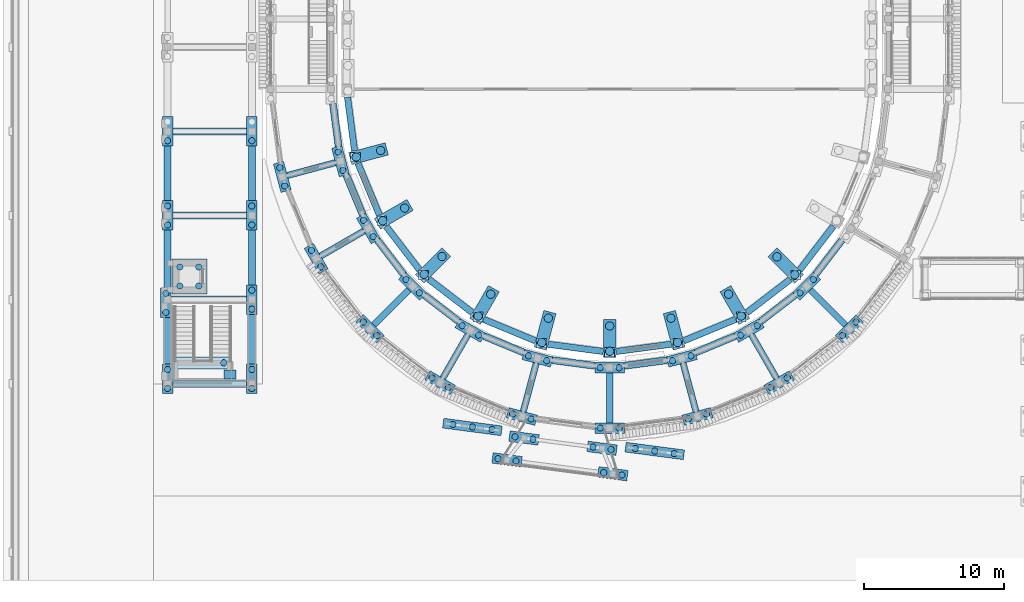
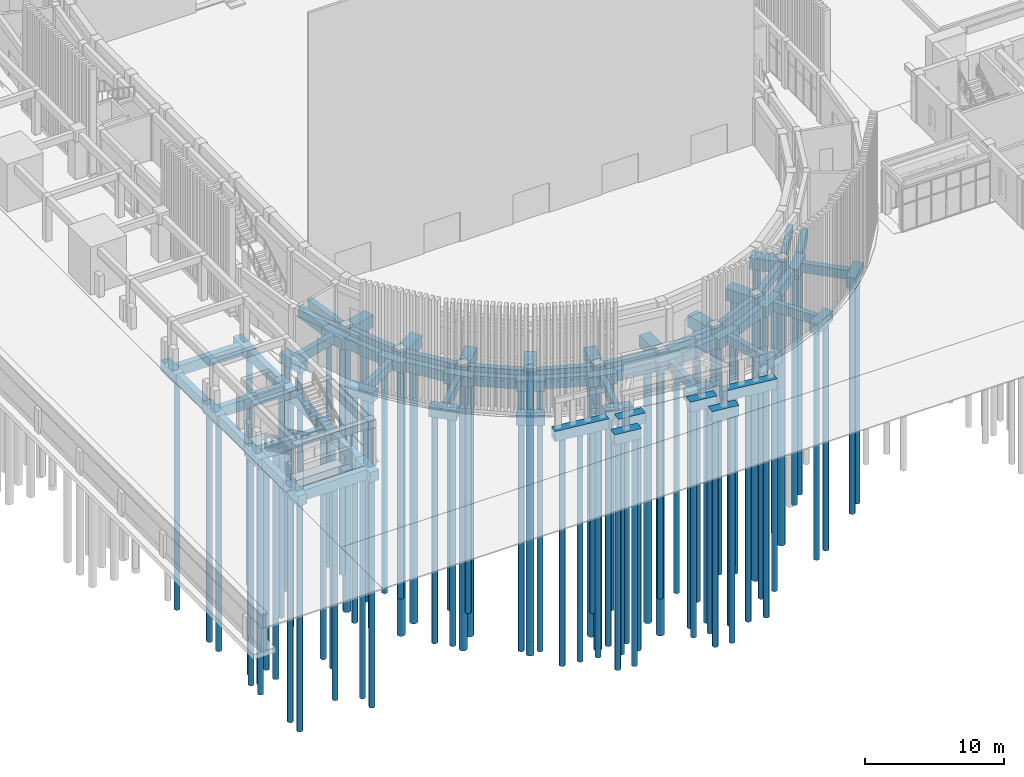
# One storey, part 1 of 112: 92 footings, 87 piles.
"""IFC4 building model written with IfcOpenShell, lengths in metres."""

from ifc_helpers import new_model, si_unit, direction, frame, origin, origin_2d, place, context, subcontext, project, spatial, rectangle, circle, extrude, material, material_profile, profile_set, type_object, element, save


model = new_model("IFC4")

# Units and contexts
model_context = context("Model", 3, precision=1e-05, world=origin(), true_north=direction((0.0, 1.0)))
body_context = subcontext(model_context, "Body", "Model", "MODEL_VIEW")
ifc_project = project(units=[si_unit("LENGTHUNIT", "METRE"), si_unit("AREAUNIT", "SQUARE_METRE"), si_unit("VOLUMEUNIT", "CUBIC_METRE"), si_unit("PLANEANGLEUNIT", "RADIAN"), si_unit("MASSUNIT", "GRAM", prefix="KILO")], contexts=[model_context])

# Site, building, storey
site_placement = place(None, origin())
site = spatial("IfcSite", under=ifc_project, at=site_placement, CompositionType="ELEMENT")
building_placement = place(site_placement, origin())
building = spatial("IfcBuilding", under=site, at=building_placement, Name="Wasatch Bagh Community Centre", CompositionType="ELEMENT")
storey_placement = place(building_placement, origin())
storey = spatial("IfcBuildingStorey", under=building, at=storey_placement, Name="L00", CompositionType="ELEMENT", Elevation=0.0)

# Footings
ifc_material_1 = material(Name="Concrete C30", Category="concrete")
footing_type_1 = type_object("IfcFootingType", Name="CT-F1", PredefinedType="PILE_CAP", material=ifc_material_1)
footing_1_placement = place(storey_placement, frame((6.050048828125, 21.64990234375, -1.7001953125), z_axis=(0.0, 0.0, 1.0), x_axis=(1.0, 0.0, 0.0)))
element("IfcFooting", 1, at=footing_1_placement, inside=storey, type_object=footing_type_1, Name="LC1 pit raft", PredefinedType="PILE_CAP", context=body_context, shape_type="SweptSolid", body=[
    extrude(rectangle(XDim=2.5, YDim=2.5, at=origin_2d()), origin(), (0.0, 0.0, 1.0), 0.300048828125),
])
footing_type_2 = type_object("IfcFootingType", Name="FD jali strip cap", PredefinedType="PILE_CAP", material=ifc_material_1)
for number, where, z_axis, x_axis, name in (
    (2, (26.221923828125, 10.927001953125, -0.89990234375), (0.0, 0.0, 1.0), (0.991444861374, -0.13052619222, 0.0), "Jali screen strip cap W"),
    (3, (39.21435546875, 9.216552734375, -0.89990234375), (0.0, 0.0, 1.0), (0.991444861374, -0.13052619222, 0.0), "Jali screen strip cap E"),
):
    element("IfcFooting", number, at=place(storey_placement, frame(where, z_axis=z_axis, x_axis=x_axis)), inside=storey, type_object=footing_type_2, Name=name, PredefinedType="PILE_CAP", context=body_context, shape_type="SweptSolid", body=[
        extrude(rectangle(XDim=4.199951171875, YDim=0.699951171875, at=origin_2d()), origin(), (0.0, 0.0, 1.0), 0.89990234375),
    ])
ifc_material_2 = material(Name="Concrete C35", Category="concrete")
footing_type_3 = type_object("IfcFootingType", Name="FD-GB-B", PredefinedType="FOOTING_BEAM", material=ifc_material_2)
for number, where, z_axis, x_axis, name in (
    (4, (14.74951171875, 29.305908203125, -1.0), (0.0, 0.0, 1.0), (-0.965925826285, -0.258819045119, 0.0), "GB ground beam 112"),
    (5, (16.947509765625, 24.0, -1.0), (0.0, 0.0, 1.0), (-0.866025403767, -0.50000000003, 0.0), "GB ground beam 118"),
    (6, (20.443603515625, 19.443603515625, -1.0), (0.0, 0.0, 1.0), (-0.707106781187, -0.707106781187, 0.0), "GB ground beam 120"),
    (7, (25.0, 15.947509765625, -1.0), (0.0, 0.0, 1.0), (-0.50000000003, -0.866025403767, 0.0), "GB ground beam 122"),
    (8, (30.305908203125, 13.74951171875, -1.0), (0.0, 0.0, 1.0), (-0.258819045119, -0.965925826285, 0.0), "GB ground beam 124"),
    (9, (36.0, 13.0, -1.0), (0.0, 0.0, 1.0), (0.0, -1.0, 0.0), "GB ground beam 126"),
    (10, (41.694091796875, 13.74951171875, -1.0), (0.0, 0.0, 1.0), (0.258819045119, -0.965925826285, 0.0), "GB ground beam 128"),
    (11, (47.0, 15.947509765625, -1.0), (0.0, 0.0, 1.0), (0.50000000003, -0.866025403767, 0.0), "GB ground beam 130"),
    (12, (51.556396484375, 19.443603515625, -1.0), (0.0, 0.0, 1.0), (0.707106781187, -0.707106781187, 0.0), "GB ground beam 131"),
):
    element("IfcFooting", number, at=place(storey_placement, frame(where, z_axis=z_axis, x_axis=x_axis)), inside=storey, type_object=footing_type_3, Name=name, PredefinedType="FOOTING_BEAM", context=body_context, shape_type="SweptSolid", body=[
        extrude(rectangle(XDim=3.550048828125, YDim=0.449951171875, at=origin_2d()), origin(), (0.0, 0.0, 1.0), 0.800048828125),
    ])
footing_2_placement = place(storey_placement, frame((18.831787109375, 27.87060546875, -1.0), z_axis=(0.0, 0.0, 1.0), x_axis=(0.382683432397, -0.923879532498, 0.0)))
element("IfcFooting", 13, at=footing_2_placement, inside=storey, type_object=footing_type_3, Name="GB ground beam 243", PredefinedType="FOOTING_BEAM", context=body_context, shape_type="SweptSolid", body=[
    extrude(rectangle(XDim=4.024658203125, YDim=0.449951171875, at=origin_2d()), origin(), (0.0, 0.0, 1.0), 0.800048828125),
])
footing_3_placement = place(storey_placement, frame((17.57763671875, 32.51220703125, -1.0), z_axis=(0.0, 0.0, 1.0), x_axis=(-0.130526192203, 0.991444861376, 0.0)))
element("IfcFooting", 14, at=footing_3_placement, inside=storey, type_object=footing_type_3, Name="GB ground beam 244", PredefinedType="FOOTING_BEAM", context=body_context, shape_type="SweptSolid", body=[
    extrude(rectangle(XDim=3.85888671875, YDim=0.449951171875, at=origin_2d()), origin(), (0.0, 0.0, 1.0), 0.800048828125),
])
footing_4_placement = place(storey_placement, frame((50.73193359375, 23.662109375, -1.0), z_axis=(0.0, 0.0, 1.0), x_axis=(-0.608761429064, -0.793353340249, 0.0)))
element("IfcFooting", 15, at=footing_4_placement, inside=storey, type_object=footing_type_3, Name="GB ground beam 246", PredefinedType="FOOTING_BEAM", context=body_context, shape_type="SweptSolid", body=[
    extrude(rectangle(XDim=3.96923828125, YDim=0.449951171875, at=origin_2d()), origin(), (0.0, 0.0, 1.0), 0.800048828125),
])
footing_5_placement = place(storey_placement, frame((21.25732421875, 23.67626953125, -1.0), z_axis=(0.0, 0.0, 1.0), x_axis=(0.608761429064, -0.793353340249, 0.0)))
element("IfcFooting", 16, at=footing_5_placement, inside=storey, type_object=footing_type_3, Name="GB ground beam 247", PredefinedType="FOOTING_BEAM", context=body_context, shape_type="SweptSolid", body=[
    extrude(rectangle(XDim=3.93359375, YDim=0.449951171875, at=origin_2d()), origin(), (0.0, 0.0, 1.0), 0.800048828125),
])
footing_6_placement = place(storey_placement, frame((24.662109375, 20.26806640625, -1.0), z_axis=(0.0, 0.0, 1.0), x_axis=(0.793353340249, -0.608761429064, 0.0)))
element("IfcFooting", 17, at=footing_6_placement, inside=storey, type_object=footing_type_3, Name="GB ground beam 248", PredefinedType="FOOTING_BEAM", context=body_context, shape_type="SweptSolid", body=[
    extrude(rectangle(XDim=3.96923828125, YDim=0.449951171875, at=origin_2d()), origin(), (0.0, 0.0, 1.0), 0.800048828125),
])
footing_7_placement = place(storey_placement, frame((28.87060546875, 17.831787109375, -1.0), z_axis=(0.0, 0.0, 1.0), x_axis=(0.923879532498, -0.382683432397, 0.0)))
element("IfcFooting", 18, at=footing_7_placement, inside=storey, type_object=footing_type_3, Name="GB ground beam 249", PredefinedType="FOOTING_BEAM", context=body_context, shape_type="SweptSolid", body=[
    extrude(rectangle(XDim=4.024658203125, YDim=0.449951171875, at=origin_2d()), origin(), (0.0, 0.0, 1.0), 0.800048828125),
])
for number, where, z_axis, x_axis, name in (
    (19, (33.57470703125, 16.5693359375, -1.0), (0.0, 0.0, 1.0), (0.991444861376, -0.130526192203, 0.0), "GB ground beam 250"),
    (20, (38.42529296875, 16.5693359375, -1.0), (0.0, 0.0, 1.0), (0.991444861376, 0.130526192203, 0.0), "GB ground beam 251"),
):
    element("IfcFooting", number, at=place(storey_placement, frame(where, z_axis=z_axis, x_axis=x_axis)), inside=storey, type_object=footing_type_3, Name=name, PredefinedType="FOOTING_BEAM", context=body_context, shape_type="SweptSolid", body=[
        extrude(rectangle(XDim=3.98486328125, YDim=0.449951171875, at=origin_2d()), origin(), (0.0, 0.0, 1.0), 0.800048828125),
    ])
footing_8_placement = place(storey_placement, frame((43.12939453125, 17.831787109375, -1.0), z_axis=(0.0, 0.0, 1.0), x_axis=(0.923879532498, 0.382683432397, 0.0)))
element("IfcFooting", 21, at=footing_8_placement, inside=storey, type_object=footing_type_3, Name="GB ground beam 252", PredefinedType="FOOTING_BEAM", context=body_context, shape_type="SweptSolid", body=[
    extrude(rectangle(XDim=4.024658203125, YDim=0.449951171875, at=origin_2d()), origin(), (0.0, 0.0, 1.0), 0.800048828125),
])
footing_9_placement = place(storey_placement, frame((47.32373046875, 20.25732421875, -1.0), z_axis=(0.0, 0.0, 1.0), x_axis=(0.793353340249, 0.608761429064, 0.0)))
element("IfcFooting", 22, at=footing_9_placement, inside=storey, type_object=footing_type_3, Name="GB ground beam 253", PredefinedType="FOOTING_BEAM", context=body_context, shape_type="SweptSolid", body=[
    extrude(rectangle(XDim=3.93359375, YDim=0.449951171875, at=origin_2d()), origin(), (0.0, 0.0, 1.0), 0.800048828125),
])
footing_type_4 = type_object("IfcFootingType", Name="FD-GB-C", PredefinedType="FOOTING_BEAM", material=ifc_material_2)
footing_10_placement = place(storey_placement, frame((10.5, 23.0, -1.099853515625), z_axis=(0.0, 0.0, 1.0), x_axis=(0.0, 1.0, 0.0)))
element("IfcFooting", 23, at=footing_10_placement, inside=storey, type_object=footing_type_4, Name="GB ground beam 17", PredefinedType="FOOTING_BEAM", context=body_context, shape_type="SweptSolid", body=[
    extrude(rectangle(XDim=3.89990234375, YDim=0.5, at=origin_2d()), origin(), (0.0, 0.0, 1.0), 0.89990234375),
])
footing_11_placement = place(storey_placement, frame((10.5, 17.175048828125, -1.099853515625), z_axis=(0.0, 0.0, 1.0), x_axis=(0.0, -1.0, 0.0)))
element("IfcFooting", 24, at=footing_11_placement, inside=storey, type_object=footing_type_4, Name="GB ground beam 18", PredefinedType="FOOTING_BEAM", context=body_context, shape_type="SweptSolid", body=[
    extrude(rectangle(XDim=3.550048828125, YDim=0.5, at=origin_2d()), origin(), (0.0, 0.0, 1.0), 0.89990234375),
])
footing_12_placement = place(storey_placement, frame((7.4375, 20.0, -1.099853515625), z_axis=(0.0, 0.0, 1.0), x_axis=(-1.0, 0.0, 0.0)))
element("IfcFooting", 25, at=footing_12_placement, inside=storey, type_object=footing_type_4, Name="GB ground beam 19", PredefinedType="FOOTING_BEAM", context=body_context, shape_type="SweptSolid", body=[
    extrude(rectangle(XDim=5.375, YDim=0.5, at=origin_2d()), origin(), (0.0, 0.0, 1.0), 0.89990234375),
])
footing_13_placement = place(storey_placement, frame((7.5, 26.0, -1.099853515625), z_axis=(0.0, 0.0, 1.0), x_axis=(1.0, 0.0, 0.0)))
element("IfcFooting", 26, at=footing_13_placement, inside=storey, type_object=footing_type_4, Name="GB ground beam 20", PredefinedType="FOOTING_BEAM", context=body_context, shape_type="SweptSolid", body=[
    extrude(rectangle(XDim=5.25, YDim=0.5, at=origin_2d()), origin(), (0.0, 0.0, 1.0), 0.89990234375),
])
footing_14_placement = place(storey_placement, frame((4.5, 29.0, -1.099853515625), z_axis=(0.0, 0.0, 1.0), x_axis=(0.0, 1.0, 0.0)))
element("IfcFooting", 27, at=footing_14_placement, inside=storey, type_object=footing_type_4, Name="GB ground beam 21", PredefinedType="FOOTING_BEAM", context=body_context, shape_type="SweptSolid", body=[
    extrude(rectangle(XDim=3.89990234375, YDim=0.5, at=origin_2d()), origin(), (0.0, 0.0, 1.0), 0.89990234375),
])
footing_15_placement = place(storey_placement, frame((4.5, 22.887451171875, -1.099853515625), z_axis=(0.0, 0.0, 1.0), x_axis=(0.0, -1.0, 0.0)))
element("IfcFooting", 28, at=footing_15_placement, inside=storey, type_object=footing_type_4, Name="GB ground beam 22", PredefinedType="FOOTING_BEAM", context=body_context, shape_type="SweptSolid", body=[
    extrude(rectangle(XDim=4.125, YDim=0.5, at=origin_2d()), origin(), (0.0, 0.0, 1.0), 0.89990234375),
])
footing_16_placement = place(storey_placement, frame((10.5, 29.0, -1.099853515625), z_axis=(0.0, 0.0, 1.0), x_axis=(0.0, 1.0, 0.0)))
element("IfcFooting", 29, at=footing_16_placement, inside=storey, type_object=footing_type_4, Name="GB ground beam 23", PredefinedType="FOOTING_BEAM", context=body_context, shape_type="SweptSolid", body=[
    extrude(rectangle(XDim=3.89990234375, YDim=0.5, at=origin_2d()), origin(), (0.0, 0.0, 1.0), 0.89990234375),
])
for number, where, z_axis, x_axis, name in (
    (30, (7.5, 32.0, -1.099853515625), (0.0, 0.0, 1.0), (1.0, 0.0, 0.0), "GB ground beam 24"),
    (31, (7.5, 14.0, -1.099853515625), (0.0, 0.0, 1.0), (1.0, 0.0, 0.0), "GB ground beam 40"),
):
    element("IfcFooting", number, at=place(storey_placement, frame(where, z_axis=z_axis, x_axis=x_axis)), inside=storey, type_object=footing_type_4, Name=name, PredefinedType="FOOTING_BEAM", context=body_context, shape_type="SweptSolid", body=[
        extrude(rectangle(XDim=5.25, YDim=0.5, at=origin_2d()), origin(), (0.0, 0.0, 1.0), 0.89990234375),
    ])
footing_17_placement = place(storey_placement, frame((4.5, 17.0625, -1.099853515625), z_axis=(0.0, 0.0, 1.0), x_axis=(0.0, 1.0, 0.0)))
element("IfcFooting", 32, at=footing_17_placement, inside=storey, type_object=footing_type_4, Name="GB ground beam 41", PredefinedType="FOOTING_BEAM", context=body_context, shape_type="SweptSolid", body=[
    extrude(rectangle(XDim=3.324951171875, YDim=0.5, at=origin_2d()), origin(), (0.0, 0.0, 1.0), 0.89990234375),
])
for number, where, z_axis, x_axis, name in (
    (33, (17.81787109375, 27.46875, -1.099853515625), (0.0, 0.0, 1.0), (0.382683432397, -0.923879532498, 0.0), "GB ground beam 110"),
    (34, (16.48828125, 32.43115234375, -1.099853515625), (0.0, 0.0, 1.0), (-0.130526192203, 0.991444861376, 0.0), "GB ground beam 111"),
    (35, (51.61328125, 23.01953125, -1.099853515625), (0.0, 0.0, 1.0), (-0.608761428898, -0.793353340376, 0.0), "GB ground beam 114"),
    (36, (20.38671875, 23.01953125, -1.099853515625), (0.0, 0.0, 1.0), (0.608761428898, -0.793353340376, 0.0), "GB ground beam 117"),
    (37, (24.01953125, 19.38671875, -1.099853515625), (0.0, 0.0, 1.0), (0.793353340376, -0.608761428898, 0.0), "GB ground beam 119"),
    (38, (28.46875, 16.81787109375, -1.099853515625), (0.0, 0.0, 1.0), (0.923879532498, -0.382683432397, 0.0), "GB ground beam 121"),
    (39, (33.43115234375, 15.48828125, -1.099853515625), (0.0, 0.0, 1.0), (0.991444861376, -0.130526192203, 0.0), "GB ground beam 123"),
    (40, (38.56884765625, 15.48828125, -1.099853515625), (0.0, 0.0, 1.0), (0.991444861376, 0.130526192203, 0.0), "GB ground beam 125"),
    (41, (43.53125, 16.81787109375, -1.099853515625), (0.0, 0.0, 1.0), (0.923879532498, 0.382683432397, 0.0), "GB ground beam 127"),
    (42, (47.98046875, 19.38671875, -1.099853515625), (0.0, 0.0, 1.0), (0.793353340376, 0.608761428898, 0.0), "GB ground beam 129"),
):
    element("IfcFooting", number, at=place(storey_placement, frame(where, z_axis=z_axis, x_axis=x_axis)), inside=storey, type_object=footing_type_4, Name=name, PredefinedType="FOOTING_BEAM", context=body_context, shape_type="SweptSolid", body=[
        extrude(rectangle(XDim=3.063720703125, YDim=0.5, at=origin_2d()), origin(), (0.0, 0.0, 1.0), 0.89990234375),
    ])

# Piles
ifc_material_profile_1 = material_profile(ifc_material_1, circle(Radius=0.22509765625, at=origin_2d()), Name="RC D450")
ifc_profile_set_1 = profile_set([ifc_material_profile_1], Name="Concrete C30")
pile_type_1 = type_object("IfcPileType", Name="FD-P450", PredefinedType="BORED", material=ifc_profile_set_1)
for number, where, z_axis, x_axis, name in (
    (43, (5.375, 20.97509765625, -1.699951171875), (0.0, 0.0, -1.0), (1.0, 0.0, 0.0), "CT.pile.L00.LIFT1.1"),
    (44, (6.72509765625, 20.97509765625, -1.699951171875), (0.0, 0.0, -1.0), (1.0, 0.0, 0.0), "CT.pile.L00.LIFT1.2"),
    (45, (5.375, 22.324951171875, -1.699951171875), (0.0, 0.0, -1.0), (1.0, 0.0, 0.0), "CT.pile.L00.LIFT1.3"),
    (46, (6.72509765625, 22.324951171875, -1.699951171875), (0.0, 0.0, -1.0), (1.0, 0.0, 0.0), "CT.pile.L00.LIFT1.4"),
    (47, (4.5, 13.675048828125, -1.10009765625), (0.0, 0.0, -1.0), (1.0, 0.0, 0.0), "P pile 27.1"),
    (48, (4.5, 15.02490234375, -1.10009765625), (0.0, 0.0, -1.0), (1.0, 0.0, 0.0), "P pile 27.2"),
    (49, (10.5, 13.675048828125, -1.10009765625), (0.0, 0.0, -1.0), (1.0, 0.0, 0.0), "P pile 28.1"),
    (50, (10.5, 15.02490234375, -1.10009765625), (0.0, 0.0, -1.0), (1.0, 0.0, 0.0), "P pile 28.2"),
    (51, (4.375, 19.10009765625, -1.10009765625), (0.0, 0.0, -1.0), (1.0, 0.0, 0.0), "P pile 29.1"),
    (52, (4.375, 20.449951171875, -1.10009765625), (0.0, 0.0, -1.0), (1.0, 0.0, 0.0), "P pile 29.2"),
    (53, (10.5, 19.324951171875, -1.10009765625), (0.0, 0.0, -1.0), (1.0, 0.0, 0.0), "P pile 30.1"),
    (54, (10.5, 20.675048828125, -1.10009765625), (0.0, 0.0, -1.0), (1.0, 0.0, 0.0), "P pile 30.2"),
    (55, (4.5, 25.324951171875, -1.10009765625), (0.0, 0.0, -1.0), (1.0, 0.0, 0.0), "P pile 31.1"),
    (56, (4.5, 26.675048828125, -1.10009765625), (0.0, 0.0, -1.0), (1.0, 0.0, 0.0), "P pile 31.2"),
    (57, (10.5, 25.324951171875, -1.10009765625), (0.0, 0.0, -1.0), (1.0, 0.0, 0.0), "P pile 32.1"),
    (58, (10.5, 26.675048828125, -1.10009765625), (0.0, 0.0, -1.0), (1.0, 0.0, 0.0), "P pile 32.2"),
    (59, (4.5, 31.324951171875, -1.10009765625), (0.0, 0.0, -1.0), (1.0, 0.0, 0.0), "P pile 33.1"),
    (60, (10.5, 31.324951171875, -1.10009765625), (0.0, 0.0, -1.0), (1.0, 0.0, 0.0), "P pile 34.1"),
    (61, (35.324951171875, 10.85009765625, -1.10009765625), (0.0, 0.0, -1.0), (1.0, 0.0, 0.0), "P pile 79.1"),
    (62, (36.675048828125, 10.85009765625, -1.10009765625), (0.0, 0.0, -1.0), (1.0, 0.0, 0.0), "P pile 79.2"),
    (63, (29.097412109375, 11.84765625, -1.10009765625), (0.0, 0.0, -1.0), (1.0, 0.0, 0.0), "P pile 80.1"),
    (64, (30.401611328125, 11.498291015625, -1.10009765625), (0.0, 0.0, -1.0), (1.0, 0.0, 0.0), "P pile 80.2"),
    (65, (41.598388671875, 11.498291015625, -1.10009765625), (0.0, 0.0, -1.0), (1.0, 0.0, 0.0), "P pile 81.1"),
    (66, (42.902587890625, 11.84765625, -1.10009765625), (0.0, 0.0, -1.0), (1.0, 0.0, 0.0), "P pile 81.2"),
    (67, (23.34033203125, 14.423095703125, -1.10009765625), (0.0, 0.0, -1.0), (1.0, 0.0, 0.0), "P pile 82.1"),
    (68, (24.509521484375, 13.748046875, -1.10009765625), (0.0, 0.0, -1.0), (1.0, 0.0, 0.0), "P pile 82.2"),
    (69, (47.490478515625, 13.748046875, -1.10009765625), (0.0, 0.0, -1.0), (1.0, 0.0, 0.0), "P pile 83.1"),
    (70, (48.65966796875, 14.423095703125, -1.10009765625), (0.0, 0.0, -1.0), (1.0, 0.0, 0.0), "P pile 83.2"),
    (71, (35.324951171875, 15.14990234375, -1.10009765625), (0.0, 0.0, -1.0), (1.0, 0.0, 0.0), "P pile 84.1"),
    (72, (36.675048828125, 15.14990234375, -1.10009765625), (0.0, 0.0, -1.0), (1.0, 0.0, 0.0), "P pile 84.2"),
    (73, (30.21044921875, 16.0009765625, -1.10009765625), (0.0, 0.0, -1.0), (1.0, 0.0, 0.0), "P pile 85.1"),
    (74, (31.514404296875, 15.651611328125, -1.10009765625), (0.0, 0.0, -1.0), (1.0, 0.0, 0.0), "P pile 85.2"),
    (75, (40.485595703125, 15.651611328125, -1.10009765625), (0.0, 0.0, -1.0), (1.0, 0.0, 0.0), "P pile 86.1"),
    (76, (41.78955078125, 16.0009765625, -1.10009765625), (0.0, 0.0, -1.0), (1.0, 0.0, 0.0), "P pile 86.2"),
    (77, (25.490478515625, 18.14697265625, -1.10009765625), (0.0, 0.0, -1.0), (1.0, 0.0, 0.0), "P pile 87.1"),
    (78, (26.65966796875, 17.471923828125, -1.10009765625), (0.0, 0.0, -1.0), (1.0, 0.0, 0.0), "P pile 87.2"),
    (79, (45.34033203125, 17.471923828125, -1.10009765625), (0.0, 0.0, -1.0), (1.0, 0.0, 0.0), "P pile 88.1"),
    (80, (46.509521484375, 18.14697265625, -1.10009765625), (0.0, 0.0, -1.0), (1.0, 0.0, 0.0), "P pile 88.2"),
    (81, (18.446044921875, 18.400634765625, -1.10009765625), (0.0, 0.0, -1.0), (1.0, 0.0, 0.0), "P pile 89.1"),
    (82, (19.400634765625, 17.446044921875, -1.10009765625), (0.0, 0.0, -1.0), (1.0, 0.0, 0.0), "P pile 89.2"),
    (83, (52.599365234375, 17.446044921875, -1.10009765625), (0.0, 0.0, -1.0), (1.0, 0.0, 0.0), "P pile 90.1"),
    (84, (53.553955078125, 18.400634765625, -1.10009765625), (0.0, 0.0, -1.0), (1.0, 0.0, 0.0), "P pile 90.2"),
    (85, (21.486572265625, 21.441162109375, -1.10009765625), (0.0, 0.0, -1.0), (1.0, 0.0, 0.0), "P pile 91.1"),
    (86, (22.441162109375, 20.486572265625, -1.10009765625), (0.0, 0.0, -1.0), (1.0, 0.0, 0.0), "P pile 91.2"),
    (87, (49.558837890625, 20.486572265625, -1.10009765625), (0.0, 0.0, -1.0), (1.0, 0.0, 0.0), "P pile 92.1"),
    (88, (50.513427734375, 21.441162109375, -1.10009765625), (0.0, 0.0, -1.0), (1.0, 0.0, 0.0), "P pile 92.2"),
    (89, (14.748046875, 23.509521484375, -1.10009765625), (0.0, 0.0, -1.0), (1.0, 0.0, 0.0), "P pile 93.1"),
    (90, (15.423095703125, 22.34033203125, -1.10009765625), (0.0, 0.0, -1.0), (1.0, 0.0, 0.0), "P pile 93.2"),
    (91, (18.471923828125, 25.65966796875, -1.10009765625), (0.0, 0.0, -1.0), (1.0, 0.0, 0.0), "P pile 95.1"),
    (92, (19.14697265625, 24.490478515625, -1.10009765625), (0.0, 0.0, -1.0), (1.0, 0.0, 0.0), "P pile 95.2"),
    (93, (12.498291015625, 29.401611328125, -1.10009765625), (0.0, 0.0, -1.0), (1.0, 0.0, 0.0), "P pile 97.1"),
    (94, (12.84765625, 28.097412109375, -1.10009765625), (0.0, 0.0, -1.0), (1.0, 0.0, 0.0), "P pile 97.2"),
    (95, (16.651611328125, 30.514404296875, -1.10009765625), (0.0, 0.0, -1.0), (1.0, 0.0, 0.0), "P pile 99.1"),
    (96, (17.0009765625, 29.21044921875, -1.10009765625), (0.0, 0.0, -1.0), (1.0, 0.0, 0.0), "P pile 99.2"),
    (97, (8.5, 15.5, -0.85009765625), (0.0, 0.0, -1.0), (1.0, 0.0, 0.0), "P pile SF1.1"),
    (98, (24.833984375, 11.109619140625, -0.89990234375), (0.0, 0.0, -1.0), (1.0, 0.0, 0.0), "Jali screen pile W.1"),
    (99, (26.221923828125, 10.927001953125, -0.89990234375), (0.0, 0.0, -1.0), (1.0, 0.0, 0.0), "Jali screen pile W.2"),
    (100, (27.610107421875, 10.744140625, -0.89990234375), (0.0, 0.0, -1.0), (1.0, 0.0, 0.0), "Jali screen pile W.3"),
    (101, (37.826171875, 9.399169921875, -0.89990234375), (0.0, 0.0, -1.0), (1.0, 0.0, 0.0), "Jali screen pile E.1"),
    (102, (39.21435546875, 9.216552734375, -0.89990234375), (0.0, 0.0, -1.0), (1.0, 0.0, 0.0), "Jali screen pile E.2"),
    (103, (40.602294921875, 9.03369140625, -0.89990234375), (0.0, 0.0, -1.0), (1.0, 0.0, 0.0), "Jali screen pile E.3"),
    (104, (29.25634765625, 10.224853515625, -0.89990234375), (0.0, 0.0, -1.0), (1.0, 0.0, 0.0), "Canopy pile RW.1"),
    (105, (30.545166015625, 10.05517578125, -0.89990234375), (0.0, 0.0, -1.0), (1.0, 0.0, 0.0), "Canopy pile RW.2"),
    (106, (34.812744140625, 9.493408203125, -0.89990234375), (0.0, 0.0, -1.0), (1.0, 0.0, 0.0), "Canopy pile RE.1"),
    (107, (36.1015625, 9.32373046875, -0.89990234375), (0.0, 0.0, -1.0), (1.0, 0.0, 0.0), "Canopy pile RE.2"),
    (108, (28.04296875, 8.669921875, -0.89990234375), (0.0, 0.0, -1.0), (1.0, 0.0, 0.0), "Canopy pile FW.1"),
    (109, (29.331787109375, 8.500244140625, -0.89990234375), (0.0, 0.0, -1.0), (1.0, 0.0, 0.0), "Canopy pile FW.2"),
    (110, (35.582275390625, 7.677490234375, -0.89990234375), (0.0, 0.0, -1.0), (1.0, 0.0, 0.0), "Canopy pile FE.1"),
    (111, (36.87109375, 7.5078125, -0.89990234375), (0.0, 0.0, -1.0), (1.0, 0.0, 0.0), "Canopy pile FE.2"),
):
    element("IfcPile", number, at=place(storey_placement, frame(where, z_axis=z_axis, x_axis=x_axis)), inside=storey, type_object=pile_type_1, Name=name, PredefinedType="BORED", context=body_context, shape_type="SweptSolid", body=[
        extrude(circle(Radius=0.22509765625, at=origin_2d()), origin(), (0.0, 0.0, 1.0), 20.0),
    ])
ifc_material_profile_2 = material_profile(ifc_material_1, circle(Radius=0.300048828125, at=origin_2d()), Name="RC D600")
ifc_profile_set_2 = profile_set([ifc_material_profile_2], Name="Concrete C30")
pile_type_2 = type_object("IfcPileType", Name="FD-P600", PredefinedType="BORED", material=ifc_profile_set_2)
for number, where, z_axis, x_axis, name in (
    (112, (36.0, 16.324951171875, -1.25), (0.0, 0.0, -1.0), (1.0, 0.0, 0.0), "P pile 211.1"),
    (113, (36.0, 18.125, -1.25), (0.0, 0.0, -1.0), (1.0, 0.0, 0.0), "P pile 211.2"),
    (114, (31.164306640625, 16.944580078125, -1.25), (0.0, 0.0, -1.0), (1.0, 0.0, 0.0), "P pile 212.1"),
    (115, (31.630126953125, 18.68310546875, -1.25), (0.0, 0.0, -1.0), (1.0, 0.0, 0.0), "P pile 212.2"),
    (116, (40.835693359375, 16.944580078125, -1.25), (0.0, 0.0, -1.0), (1.0, 0.0, 0.0), "P pile 213.1"),
    (117, (40.369873046875, 18.68310546875, -1.25), (0.0, 0.0, -1.0), (1.0, 0.0, 0.0), "P pile 213.2"),
    (118, (26.625, 18.83251953125, -1.25), (0.0, 0.0, -1.0), (1.0, 0.0, 0.0), "P pile 214.1"),
    (119, (27.52490234375, 20.391357421875, -1.25), (0.0, 0.0, -1.0), (1.0, 0.0, 0.0), "P pile 214.2"),
    (120, (45.375, 18.83251953125, -1.25), (0.0, 0.0, -1.0), (1.0, 0.0, 0.0), "P pile 215.1"),
    (121, (44.47509765625, 20.391357421875, -1.25), (0.0, 0.0, -1.0), (1.0, 0.0, 0.0), "P pile 215.2"),
    (122, (49.194580078125, 21.7802734375, -1.25), (0.0, 0.0, -1.0), (1.0, 0.0, 0.0), "P pile 216.1"),
    (123, (47.921875, 23.05322265625, -1.25), (0.0, 0.0, -1.0), (1.0, 0.0, 0.0), "P pile 216.2"),
    (124, (22.7802734375, 21.805419921875, -1.25), (0.0, 0.0, -1.0), (1.0, 0.0, 0.0), "P pile 217.1"),
    (125, (24.05322265625, 23.078125, -1.25), (0.0, 0.0, -1.0), (1.0, 0.0, 0.0), "P pile 217.2"),
    (126, (19.83251953125, 25.625, -1.25), (0.0, 0.0, -1.0), (1.0, 0.0, 0.0), "P pile 218.1"),
    (127, (21.391357421875, 26.52490234375, -1.25), (0.0, 0.0, -1.0), (1.0, 0.0, 0.0), "P pile 218.2"),
    (128, (17.944580078125, 30.164306640625, -1.25), (0.0, 0.0, -1.0), (1.0, 0.0, 0.0), "P pile 220.1"),
    (129, (19.68310546875, 30.630126953125, -1.25), (0.0, 0.0, -1.0), (1.0, 0.0, 0.0), "P pile 220.2"),
):
    element("IfcPile", number, at=place(storey_placement, frame(where, z_axis=z_axis, x_axis=x_axis)), inside=storey, type_object=pile_type_2, Name=name, PredefinedType="BORED", context=body_context, shape_type="SweptSolid", body=[
        extrude(circle(Radius=0.300048828125, at=origin_2d()), origin(), (0.0, 0.0, 1.0), 24.0),
    ])

# Footings
footing_type_5 = type_object("IfcFootingType", Name="FD-PC2", PredefinedType="PILE_CAP", material=ifc_material_1)
for number, where, z_axis, x_axis, name in (
    (130, (4.5, 14.35009765625, -1.099853515625), (0.0, 0.0, 1.0), (0.0, 1.0, 0.0), "PC cap 27"),
    (131, (10.5, 14.35009765625, -1.099853515625), (0.0, 0.0, 1.0), (0.0, 1.0, 0.0), "PC cap 28"),
    (132, (4.375, 19.77490234375, -1.099853515625), (0.0, 0.0, 1.0), (0.0, 1.0, 0.0), "PC cap 29"),
    (133, (10.5, 20.0, -1.099853515625), (0.0, 0.0, 1.0), (0.0, 1.0, 0.0), "PC cap 30"),
    (134, (4.5, 26.0, -1.099853515625), (0.0, 0.0, 1.0), (0.0, 1.0, 0.0), "PC cap 31"),
    (135, (10.5, 26.0, -1.099853515625), (0.0, 0.0, 1.0), (0.0, 1.0, 0.0), "PC cap 32"),
    (136, (4.5, 32.0, -1.099853515625), (0.0, 0.0, 1.0), (0.0, 1.0, 0.0), "PC cap 33"),
    (137, (10.5, 32.0, -1.099853515625), (0.0, 0.0, 1.0), (0.0, 1.0, 0.0), "PC cap 34"),
    (138, (36.0, 10.85009765625, -1.099853515625), (0.0, 0.0, 1.0), (1.0, 0.0, 0.0), "PC cap 79"),
    (139, (29.74951171875, 11.6728515625, -1.099853515625), (0.0, 0.0, 1.0), (0.965925826294, -0.258819045086, 0.0), "PC cap 80"),
    (140, (42.25048828125, 11.6728515625, -1.099853515625), (0.0, 0.0, 1.0), (0.965925826294, 0.258819045086, 0.0), "PC cap 81"),
    (141, (23.925048828125, 14.08544921875, -1.099853515625), (0.0, 0.0, 1.0), (0.866025403784, -0.5, 0.0), "PC cap 82"),
    (142, (48.074951171875, 14.08544921875, -1.099853515625), (0.0, 0.0, 1.0), (0.866025403784, 0.5, 0.0), "PC cap 83"),
    (143, (36.0, 15.14990234375, -1.099853515625), (0.0, 0.0, 1.0), (1.0, 0.0, 0.0), "PC cap 84"),
    (144, (30.862548828125, 15.826416015625, -1.099853515625), (0.0, 0.0, 1.0), (0.965925826294, -0.258819045086, 0.0), "PC cap 85"),
    (145, (41.137451171875, 15.826416015625, -1.099853515625), (0.0, 0.0, 1.0), (0.965925826294, 0.258819045086, 0.0), "PC cap 86"),
    (146, (26.074951171875, 17.809326171875, -1.099853515625), (0.0, 0.0, 1.0), (0.866025403784, -0.5, 0.0), "PC cap 87"),
    (147, (45.925048828125, 17.809326171875, -1.099853515625), (0.0, 0.0, 1.0), (0.866025403784, 0.5, 0.0), "PC cap 88"),
    (148, (18.92333984375, 17.92333984375, -1.099853515625), (0.0, 0.0, 1.0), (0.707106781187, -0.707106781187, 0.0), "PC cap 89"),
    (149, (53.07666015625, 17.92333984375, -1.099853515625), (0.0, 0.0, 1.0), (0.707106781187, 0.707106781187, 0.0), "PC cap 90"),
    (150, (21.9638671875, 20.9638671875, -1.099853515625), (0.0, 0.0, 1.0), (0.707106781187, -0.707106781187, 0.0), "PC cap 91"),
    (151, (50.0361328125, 20.9638671875, -1.099853515625), (0.0, 0.0, 1.0), (0.707106781187, 0.707106781187, 0.0), "PC cap 92"),
    (152, (15.08544921875, 22.925048828125, -1.099853515625), (0.0, 0.0, 1.0), (0.5, -0.866025403784, 0.0), "PC cap 93"),
    (153, (18.809326171875, 25.074951171875, -1.099853515625), (0.0, 0.0, 1.0), (0.5, -0.866025403784, 0.0), "PC cap 95"),
    (154, (12.6728515625, 28.74951171875, -1.099853515625), (0.0, 0.0, 1.0), (0.258819045086, -0.965925826294, 0.0), "PC cap 97"),
    (155, (16.826416015625, 29.862548828125, -1.099853515625), (0.0, 0.0, 1.0), (0.258819045086, -0.965925826294, 0.0), "PC cap 99"),
    (156, (29.900634765625, 10.14013671875, -0.89990234375), (0.0, 0.0, 1.0), (0.991444861374, -0.13052619222, 0.0), "Canopy cap RW"),
    (157, (35.457275390625, 9.408447265625, -0.89990234375), (0.0, 0.0, 1.0), (0.991444861374, -0.13052619222, 0.0), "Canopy cap RE"),
    (158, (28.6875, 8.585205078125, -0.89990234375), (0.0, 0.0, 1.0), (0.991444861374, -0.13052619222, 0.0), "Canopy cap FW"),
    (159, (36.226806640625, 7.592529296875, -0.89990234375), (0.0, 0.0, 1.0), (0.991444861374, -0.13052619222, 0.0), "Canopy cap FE"),
):
    element("IfcFooting", number, at=place(storey_placement, frame(where, z_axis=z_axis, x_axis=x_axis)), inside=storey, type_object=footing_type_5, Name=name, PredefinedType="PILE_CAP", context=body_context, shape_type="SweptSolid", body=[
        extrude(rectangle(XDim=2.10009765625, YDim=0.75, at=origin_2d()), origin(), (0.0, 0.0, 1.0), 0.89990234375),
    ])
footing_type_6 = type_object("IfcFootingType", Name="FD-PC3", PredefinedType="PILE_CAP", material=ifc_material_1)
for number, where, z_axis, x_axis, name in (
    (160, (36.0, 17.22509765625, -1.25), (0.0, 0.0, 1.0), (0.0, 1.0, 0.0), "PC cap 211"),
    (161, (31.397216796875, 17.81396484375, -1.25), (0.0, 0.0, 1.0), (0.258819045119, 0.965925826285, 0.0), "PC cap 212"),
    (162, (40.602783203125, 17.81396484375, -1.25), (0.0, 0.0, 1.0), (-0.258819045119, 0.965925826285, 0.0), "PC cap 213"),
    (163, (27.074951171875, 19.612060546875, -1.25), (0.0, 0.0, 1.0), (0.5, 0.866025403784, 0.0), "PC cap 214"),
    (164, (44.925048828125, 19.612060546875, -1.25), (0.0, 0.0, 1.0), (-0.5, 0.866025403784, 0.0), "PC cap 215"),
    (165, (48.558349609375, 22.416748046875, -1.25), (0.0, 0.0, 1.0), (-0.707106781187, 0.707106781187, 0.0), "PC cap 216"),
    (166, (23.416748046875, 22.441650390625, -1.25), (0.0, 0.0, 1.0), (0.707106781187, 0.707106781187, 0.0), "PC cap 217"),
    (167, (20.612060546875, 26.074951171875, -1.25), (0.0, 0.0, 1.0), (0.866025403784, 0.5, 0.0), "PC cap 218"),
    (168, (18.81396484375, 30.397216796875, -1.25), (0.0, 0.0, 1.0), (0.965925826285, 0.258819045119, 0.0), "PC cap 220"),
):
    element("IfcFooting", number, at=place(storey_placement, frame(where, z_axis=z_axis, x_axis=x_axis)), inside=storey, type_object=footing_type_6, Name=name, PredefinedType="PILE_CAP", context=body_context, shape_type="SweptSolid", body=[
        extrude(rectangle(XDim=2.699951171875, YDim=0.89990234375, at=origin_2d()), origin(), (0.0, 0.0, 1.0), 1.050048828125),
    ])
footing_type_7 = type_object("IfcFootingType", Name="FD-PD1", PredefinedType="PAD_FOOTING", material=ifc_material_1)
for number, where, z_axis, x_axis, name in (
    (169, (17.888916015625, 30.147216796875, -0.2001953125), (0.0, 0.0, 1.0), (1.0, 0.0, 0.0), "PD pedestal 19"),
    (170, (19.761962890625, 25.625, -0.2001953125), (0.0, 0.0, 1.0), (1.0, 0.0, 0.0), "PD pedestal 22"),
    (171, (22.74169921875, 21.74169921875, -0.2001953125), (0.0, 0.0, 1.0), (1.0, 0.0, 0.0), "PD pedestal 23"),
    (172, (26.625, 18.761962890625, -0.2001953125), (0.0, 0.0, 1.0), (1.0, 0.0, 0.0), "PD pedestal 24"),
    (173, (31.147216796875, 16.888916015625, -0.2001953125), (0.0, 0.0, 1.0), (1.0, 0.0, 0.0), "PD pedestal 25"),
    (174, (36.0, 16.25, -0.2001953125), (0.0, 0.0, 1.0), (1.0, 0.0, 0.0), "PD pedestal 26"),
    (175, (40.852783203125, 16.888916015625, -0.2001953125), (0.0, 0.0, 1.0), (1.0, 0.0, 0.0), "PD pedestal 27"),
    (176, (45.375, 18.761962890625, -0.2001953125), (0.0, 0.0, 1.0), (1.0, 0.0, 0.0), "PD pedestal 28"),
    (177, (49.25830078125, 21.74169921875, -0.2001953125), (0.0, 0.0, 1.0), (1.0, 0.0, 0.0), "PD pedestal 29"),
):
    element("IfcFooting", number, at=place(storey_placement, frame(where, z_axis=z_axis, x_axis=x_axis)), inside=storey, type_object=footing_type_7, Name=name, PredefinedType="PAD_FOOTING", context=body_context, shape_type="SweptSolid", body=[
        extrude(rectangle(XDim=0.699951171875, YDim=0.699951171875, at=origin_2d()), origin(), (0.0, 0.0, 1.0), 0.199951171875),
    ])
footing_type_8 = type_object("IfcFootingType", Name="FD-SF2", PredefinedType="STRIP_FOOTING", material=ifc_material_1)
footing_18_placement = place(storey_placement, frame((7.0, 15.5, -0.849853515625), z_axis=(0.0, 0.0, 1.0), x_axis=(1.0, 0.0, 0.0)))
element("IfcFooting", 178, at=footing_18_placement, inside=storey, type_object=footing_type_8, Name="SF wall footing 1", PredefinedType="STRIP_FOOTING", context=body_context, shape_type="SweptSolid", body=[
    extrude(rectangle(XDim=3.89990234375, YDim=0.85009765625, at=origin_2d()), origin(), (0.0, 0.0, 1.0), 0.64990234375),
])
footing_19_placement = place(storey_placement, frame((8.949951171875, 14.66259765625, -0.849853515625), z_axis=(0.0, 0.0, 1.0), x_axis=(0.0, 1.0, 0.0)))
element("IfcFooting", 179, at=footing_19_placement, inside=storey, type_object=footing_type_8, Name="SF wall footing 2", PredefinedType="STRIP_FOOTING", context=body_context, shape_type="SweptSolid", body=[
    extrude(rectangle(XDim=0.625, YDim=0.85009765625, at=origin_2d()), origin(), (0.0, 0.0, 1.0), 0.64990234375),
])

save(model, "model.ifc")
